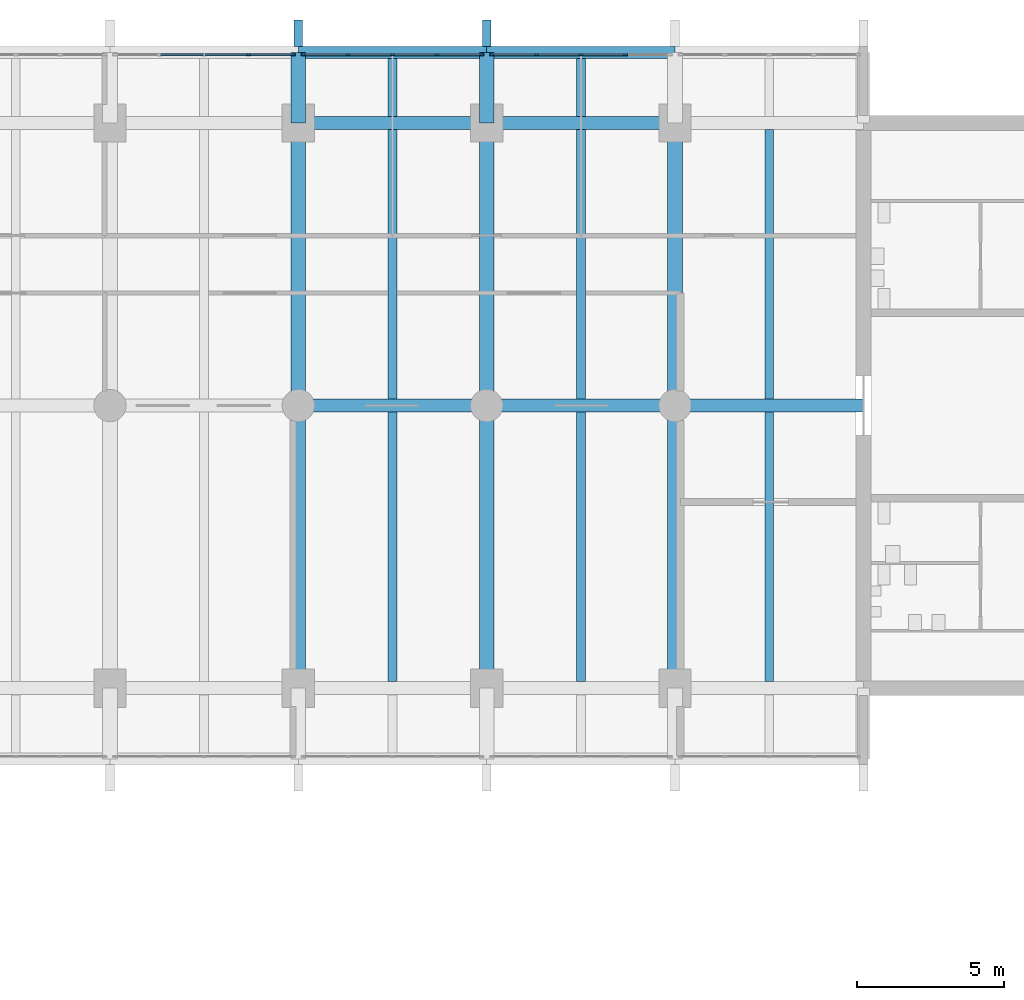
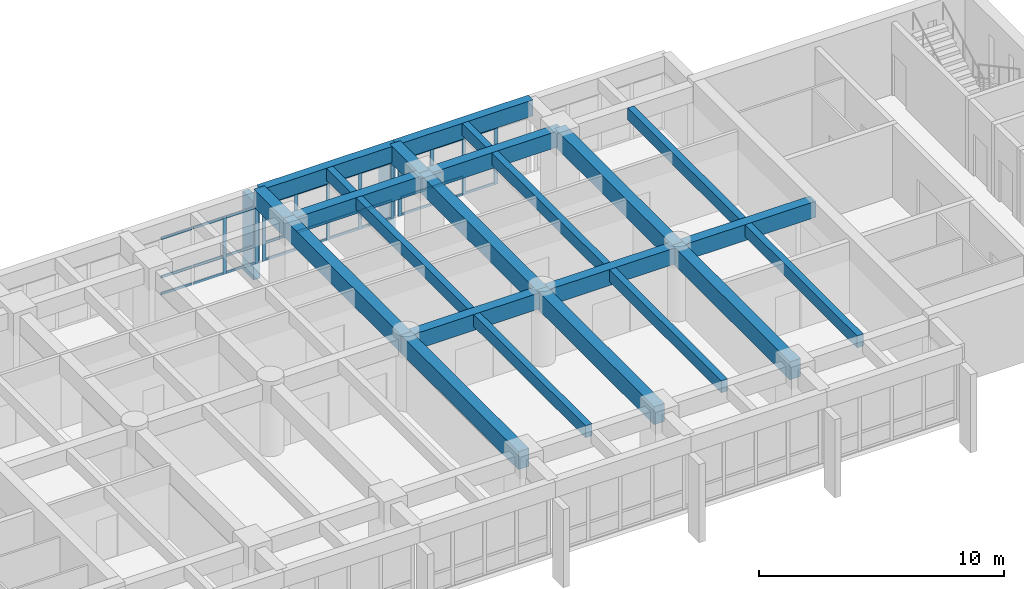
# One storey, part 5 of 19: 43 members, 23 beams, 3 elements without a shape of their own.
"""IFC4 building model written with IfcOpenShell, lengths in metres."""

from ifc_helpers import new_model, si_unit, direction, frame, origin, origin_2d, place, context, subcontext, project, spatial, rectangle, extrude, material, layer, layer_set, material_profile, profile_set, type_object, element, aggregate, save


model = new_model("IFC4")

# Units and contexts
model_context = context("Model", 3, precision=1e-05, world=origin(), true_north=direction((0.0, 1.0)))
body_context = subcontext(model_context, "Body", "Model", "MODEL_VIEW")
ifc_project = project(units=[si_unit("LENGTHUNIT", "METRE"), si_unit("AREAUNIT", "SQUARE_METRE"), si_unit("VOLUMEUNIT", "CUBIC_METRE"), si_unit("PLANEANGLEUNIT", "RADIAN"), si_unit("MASSUNIT", "GRAM", prefix="KILO")], contexts=[model_context])

# Site, building, storey
site_placement = place(None, origin())
site = spatial("IfcSite", under=ifc_project, at=site_placement, CompositionType="ELEMENT")
building_placement = place(site_placement, origin())
building = spatial("IfcBuilding", under=site, at=building_placement, Name="Fogon Plaza Fire Station and Headquarters Tower", CompositionType="ELEMENT")
storey_placement = place(building_placement, frame((0.0, 0.0, 17.10009765625)))
storey = spatial("IfcBuildingStorey", under=building, at=storey_placement, Name="L04", CompositionType="ELEMENT", Elevation=17.10009765625)

# Beams
ifc_material_1 = material(Name="Concrete C40", Category="concrete")
ifc_material_profile_1 = material_profile(ifc_material_1, rectangle(XDim=0.39990234375, YDim=0.800048828125, at=origin_2d()), Name="RC 400x800")
ifc_profile_set_1 = profile_set([ifc_material_profile_1], Name="Concrete C40")
beam_type_1 = type_object("IfcBeamType", Name="BEAM RC 400x800", PredefinedType="BEAM", material=ifc_profile_set_1)
beam_1_placement = place(storey_placement, frame((44.800048828125, 55.199951171875, 3.27978515625), z_axis=(1.0, 0.0, 0.0), x_axis=(0.0, 1.0, 0.0)))
element("IfcBeam", 1, at=beam_1_placement, inside=storey, type_object=beam_type_1, Name="beam-L04-048", PredefinedType="BEAM", context=body_context, shape_type="SweptSolid", body=[
    extrude(rectangle(XDim=0.39990234375, YDim=0.800048828125, at=origin_2d()), origin(), (0.0, 0.0, 1.0), 6.39990234375),
])
beam_2_placement = place(storey_placement, frame((51.199951171875, 55.199951171875, 3.27978515625), z_axis=(1.0, 0.0, 0.0), x_axis=(0.0, 1.0, 0.0)))
element("IfcBeam", 2, at=beam_2_placement, inside=storey, type_object=beam_type_1, Name="beam-L04-049", PredefinedType="BEAM", context=body_context, shape_type="SweptSolid", body=[
    extrude(rectangle(XDim=0.39990234375, YDim=0.800048828125, at=origin_2d()), origin(), (0.0, 0.0, 1.0), 6.400146484375),
])
ifc_material_2 = material(Name="Concrete C40", Category="concrete")
ifc_material_profile_2 = material_profile(ifc_material_2, rectangle(XDim=0.449951171875, YDim=0.800048828125, at=origin_2d()), Name="RC 450x800")
ifc_profile_set_2 = profile_set([ifc_material_profile_2], Name="Concrete C40")
beam_type_2 = type_object("IfcBeamType", Name="BEAM RC 450x800", PredefinedType="BEAM", material=ifc_profile_set_2)
beam_3_placement = place(storey_placement, frame((44.800048828125, 43.199951171875, 3.27978515625), z_axis=(1.0, 0.0, 0.0), x_axis=(0.0, 1.0, 0.0)))
element("IfcBeam", 3, at=beam_3_placement, inside=storey, type_object=beam_type_2, Name="beam-L04-030", PredefinedType="BEAM", context=body_context, shape_type="SweptSolid", body=[
    extrude(rectangle(XDim=0.449951171875, YDim=0.800048828125, at=origin_2d()), origin(), (0.0, 0.0, 1.0), 6.39990234375),
])
beam_4_placement = place(storey_placement, frame((51.199951171875, 43.199951171875, 3.27978515625), z_axis=(1.0, 0.0, 0.0), x_axis=(0.0, 1.0, 0.0)))
element("IfcBeam", 4, at=beam_4_placement, inside=storey, type_object=beam_type_2, Name="beam-L04-031", PredefinedType="BEAM", context=body_context, shape_type="SweptSolid", body=[
    extrude(rectangle(XDim=0.449951171875, YDim=0.800048828125, at=origin_2d()), origin(), (0.0, 0.0, 1.0), 6.400146484375),
])
for number, where, z_axis, x_axis, name in (
    (5, (57.60009765625, 43.199951171875, 3.27978515625), (1.0, 0.0, 0.0), (0.0, 1.0, 0.0), "beam-L04-032"),
    (6, (44.800048828125, 52.800048828125, 3.27978515625), (1.0, 0.0, 0.0), (0.0, 1.0, 0.0), "beam-L04-036"),
):
    element("IfcBeam", number, at=place(storey_placement, frame(where, z_axis=z_axis, x_axis=x_axis)), inside=storey, type_object=beam_type_2, Name=name, PredefinedType="BEAM", context=body_context, shape_type="SweptSolid", body=[
        extrude(rectangle(XDim=0.449951171875, YDim=0.800048828125, at=origin_2d()), origin(), (0.0, 0.0, 1.0), 6.39990234375),
    ])
beam_5_placement = place(storey_placement, frame((51.199951171875, 52.800048828125, 3.27978515625), z_axis=(1.0, 0.0, 0.0), x_axis=(0.0, 1.0, 0.0)))
element("IfcBeam", 7, at=beam_5_placement, inside=storey, type_object=beam_type_2, Name="beam-L04-037", PredefinedType="BEAM", context=body_context, shape_type="SweptSolid", body=[
    extrude(rectangle(XDim=0.449951171875, YDim=0.800048828125, at=origin_2d()), origin(), (0.0, 0.0, 1.0), 6.400146484375),
])
ifc_material_3 = material(Name="Concrete C40", Category="concrete")
ifc_material_profile_3 = material_profile(ifc_material_3, rectangle(XDim=0.5, YDim=0.89990234375, at=origin_2d()), Name="RC 500x900")
ifc_profile_set_3 = profile_set([ifc_material_profile_3], Name="Concrete C40")
beam_type_3 = type_object("IfcBeamType", Name="BEAM RC 500x900 SPAN 0.0 TO 3.0 M", PredefinedType="BEAM", material=ifc_profile_set_3)
for number, where, z_axis, x_axis, name in (
    (8, (44.800048828125, 52.800048828125, 3.22998046875), (0.0, 1.0, 0.0), (-1.0, 0.0, 0.0), "beam-L04-012"),
    (9, (51.199951171875, 52.800048828125, 3.22998046875), (0.0, 1.0, 0.0), (-1.0, 0.0, 0.0), "beam-L04-016"),
):
    element("IfcBeam", number, at=place(storey_placement, frame(where, z_axis=z_axis, x_axis=x_axis)), inside=storey, type_object=beam_type_3, Name=name, PredefinedType="BEAM", context=body_context, shape_type="SweptSolid", body=[
        extrude(rectangle(XDim=0.5, YDim=0.89990234375, at=origin_2d()), origin(), (0.0, 0.0, 1.0), 2.39990234375),
    ])
ifc_material_4 = material(Name="Concrete C40", Category="concrete")
ifc_material_profile_4 = material_profile(ifc_material_4, rectangle(XDim=0.5, YDim=0.89990234375, at=origin_2d()), Name="RC 500x900")
ifc_profile_set_4 = profile_set([ifc_material_profile_4], Name="Concrete C40")
beam_type_4 = type_object("IfcBeamType", Name="BEAM RC 500x900 SPAN 7.7 TO 12.3 M", PredefinedType="BEAM", material=ifc_profile_set_4)
beam_6_placement = place(storey_placement, frame((44.800048828125, 33.60009765625, 3.22998046875), z_axis=(0.0, 1.0, 0.0), x_axis=(-1.0, 0.0, 0.0)))
element("IfcBeam", 10, at=beam_6_placement, inside=storey, type_object=beam_type_4, Name="beam-L04-010", PredefinedType="BEAM", context=body_context, shape_type="SweptSolid", body=[
    extrude(rectangle(XDim=0.5, YDim=0.89990234375, at=origin_2d()), origin(), (0.0, 0.0, 1.0), 9.599853515625),
])
beam_7_placement = place(storey_placement, frame((44.800048828125, 43.199951171875, 3.22998046875), z_axis=(0.0, 1.0, 0.0), x_axis=(-1.0, 0.0, 0.0)))
element("IfcBeam", 11, at=beam_7_placement, inside=storey, type_object=beam_type_4, Name="beam-L04-011", PredefinedType="BEAM", context=body_context, shape_type="SweptSolid", body=[
    extrude(rectangle(XDim=0.5, YDim=0.89990234375, at=origin_2d()), origin(), (0.0, 0.0, 1.0), 9.60009765625),
])
beam_8_placement = place(storey_placement, frame((51.199951171875, 33.60009765625, 3.22998046875), z_axis=(0.0, 1.0, 0.0), x_axis=(-1.0, 0.0, 0.0)))
element("IfcBeam", 12, at=beam_8_placement, inside=storey, type_object=beam_type_4, Name="beam-L04-014", PredefinedType="BEAM", context=body_context, shape_type="SweptSolid", body=[
    extrude(rectangle(XDim=0.5, YDim=0.89990234375, at=origin_2d()), origin(), (0.0, 0.0, 1.0), 9.599853515625),
])
beam_9_placement = place(storey_placement, frame((51.199951171875, 43.199951171875, 3.22998046875), z_axis=(0.0, 1.0, 0.0), x_axis=(-1.0, 0.0, 0.0)))
element("IfcBeam", 13, at=beam_9_placement, inside=storey, type_object=beam_type_4, Name="beam-L04-015", PredefinedType="BEAM", context=body_context, shape_type="SweptSolid", body=[
    extrude(rectangle(XDim=0.5, YDim=0.89990234375, at=origin_2d()), origin(), (0.0, 0.0, 1.0), 9.60009765625),
])
beam_10_placement = place(storey_placement, frame((57.60009765625, 33.60009765625, 3.22998046875), z_axis=(0.0, 1.0, 0.0), x_axis=(-1.0, 0.0, 0.0)))
element("IfcBeam", 14, at=beam_10_placement, inside=storey, type_object=beam_type_4, Name="beam-L04-018", PredefinedType="BEAM", context=body_context, shape_type="SweptSolid", body=[
    extrude(rectangle(XDim=0.5, YDim=0.89990234375, at=origin_2d()), origin(), (0.0, 0.0, 1.0), 9.599853515625),
])
beam_11_placement = place(storey_placement, frame((57.60009765625, 43.199951171875, 3.22998046875), z_axis=(0.0, 1.0, 0.0), x_axis=(-1.0, 0.0, 0.0)))
element("IfcBeam", 15, at=beam_11_placement, inside=storey, type_object=beam_type_4, Name="beam-L04-019", PredefinedType="BEAM", context=body_context, shape_type="SweptSolid", body=[
    extrude(rectangle(XDim=0.5, YDim=0.89990234375, at=origin_2d()), origin(), (0.0, 0.0, 1.0), 9.60009765625),
])

# Curtain wall, members
ifc_material_5 = material(Name="Aluminium and glass", Category="aluminium")
ifc_layer = layer(ifc_material_5, 0.14990234375)
ifc_layer_set = layer_set([ifc_layer], Name="Aluminium and glass")
curtain_wall_type = type_object("IfcCurtainWallType", Name="Unitised Curtain Wall Run 6100x2880", PredefinedType="NOTDEFINED", material=ifc_layer_set)
curtain_wall_1_placement = place(storey_placement, origin())
curtain_wall_1 = element("IfcCurtainWall", 16, at=curtain_wall_1_placement, inside=storey, type_object=curtain_wall_type, Name="CW-6100x2880 N3 L04", PredefinedType="NOTDEFINED")
ifc_material_6 = material(Name="Aluminium", Category="aluminium")
ifc_material_profile_5 = material_profile(ifc_material_6, rectangle(XDim=0.06005859375, YDim=0.159912109375, at=origin_2d()), Name="Curtain Wall Mullion 60x160")
ifc_profile_set_5 = profile_set([ifc_material_profile_5], Name="Aluminium")
member_type_1 = type_object("IfcMemberType", Name="Curtain Wall Mullion 60x160", PredefinedType="MULLION", material=ifc_profile_set_5)
member_1_placement = place(storey_placement, frame((43.110107421875, 55.1201171875, 0.0), z_axis=(0.0, 0.0, 1.0), x_axis=(0.0, 1.0, 0.0)))
member_1 = element("IfcMember", 17, at=member_1_placement, type_object=member_type_1, Name="CW-6100x2880 mullion 4", PredefinedType="MULLION", context=body_context, shape_type="SweptSolid", body=[
    extrude(rectangle(XDim=0.06005859375, YDim=0.159912109375, at=origin_2d()), origin(), (0.0, 0.0, 1.0), 2.8798828125),
])
member_2_placement = place(storey_placement, frame((44.6201171875, 55.1201171875, 0.0), z_axis=(0.0, 0.0, 1.0), x_axis=(0.0, 1.0, 0.0)))
member_2 = element("IfcMember", 18, at=member_2_placement, type_object=member_type_1, Name="CW-6100x2880 mullion 5", PredefinedType="MULLION", context=body_context, shape_type="SweptSolid", body=[
    extrude(rectangle(XDim=0.06005859375, YDim=0.159912109375, at=origin_2d()), origin(), (0.0, 0.0, 1.0), 2.8798828125),
])

curtain_wall_2_placement = place(storey_placement, origin())
curtain_wall_2 = element("IfcCurtainWall", 19, at=curtain_wall_2_placement, inside=storey, type_object=curtain_wall_type, Name="CW-6100x2880 N4 L04", PredefinedType="NOTDEFINED")
member_3_placement = place(storey_placement, frame((44.97998046875, 55.1201171875, 0.0), z_axis=(0.0, 0.0, 1.0), x_axis=(0.0, 1.0, 0.0)))
member_3 = element("IfcMember", 20, at=member_3_placement, type_object=member_type_1, Name="CW-6100x2880 mullion 1", PredefinedType="MULLION", context=body_context, shape_type="SweptSolid", body=[
    extrude(rectangle(XDim=0.06005859375, YDim=0.159912109375, at=origin_2d()), origin(), (0.0, 0.0, 1.0), 2.8798828125),
])
member_4_placement = place(storey_placement, frame((46.489990234375, 55.1201171875, 0.0), z_axis=(0.0, 0.0, 1.0), x_axis=(0.0, 1.0, 0.0)))
member_4 = element("IfcMember", 21, at=member_4_placement, type_object=member_type_1, Name="CW-6100x2880 mullion 2", PredefinedType="MULLION", context=body_context, shape_type="SweptSolid", body=[
    extrude(rectangle(XDim=0.06005859375, YDim=0.159912109375, at=origin_2d()), origin(), (0.0, 0.0, 1.0), 2.8798828125),
])
member_5_placement = place(storey_placement, frame((48.0, 55.1201171875, 0.0), z_axis=(0.0, 0.0, 1.0), x_axis=(0.0, 1.0, 0.0)))
member_5 = element("IfcMember", 22, at=member_5_placement, type_object=member_type_1, Name="CW-6100x2880 mullion 3", PredefinedType="MULLION", context=body_context, shape_type="SweptSolid", body=[
    extrude(rectangle(XDim=0.06005859375, YDim=0.159912109375, at=origin_2d()), origin(), (0.0, 0.0, 1.0), 2.8798828125),
])
member_6_placement = place(storey_placement, frame((49.510009765625, 55.1201171875, 0.0), z_axis=(0.0, 0.0, 1.0), x_axis=(0.0, 1.0, 0.0)))
member_6 = element("IfcMember", 23, at=member_6_placement, type_object=member_type_1, Name="CW-6100x2880 mullion 4", PredefinedType="MULLION", context=body_context, shape_type="SweptSolid", body=[
    extrude(rectangle(XDim=0.06005859375, YDim=0.159912109375, at=origin_2d()), origin(), (0.0, 0.0, 1.0), 2.8798828125),
])
member_7_placement = place(storey_placement, frame((51.02001953125, 55.1201171875, 0.0), z_axis=(0.0, 0.0, 1.0), x_axis=(0.0, 1.0, 0.0)))
member_7 = element("IfcMember", 24, at=member_7_placement, type_object=member_type_1, Name="CW-6100x2880 mullion 5", PredefinedType="MULLION", context=body_context, shape_type="SweptSolid", body=[
    extrude(rectangle(XDim=0.06005859375, YDim=0.159912109375, at=origin_2d()), origin(), (0.0, 0.0, 1.0), 2.8798828125),
])

curtain_wall_3_placement = place(storey_placement, origin())
curtain_wall_3 = element("IfcCurtainWall", 25, at=curtain_wall_3_placement, inside=storey, type_object=curtain_wall_type, Name="CW-6100x2880 N5 L04", PredefinedType="NOTDEFINED")
member_8_placement = place(storey_placement, frame((51.3798828125, 55.1201171875, 0.0), z_axis=(0.0, 0.0, 1.0), x_axis=(0.0, 1.0, 0.0)))
member_8 = element("IfcMember", 26, at=member_8_placement, type_object=member_type_1, Name="CW-6100x2880 mullion 1", PredefinedType="MULLION", context=body_context, shape_type="SweptSolid", body=[
    extrude(rectangle(XDim=0.06005859375, YDim=0.159912109375, at=origin_2d()), origin(), (0.0, 0.0, 1.0), 2.8798828125),
])
member_9_placement = place(storey_placement, frame((52.889892578125, 55.1201171875, 0.0), z_axis=(0.0, 0.0, 1.0), x_axis=(0.0, 1.0, 0.0)))
member_9 = element("IfcMember", 27, at=member_9_placement, type_object=member_type_1, Name="CW-6100x2880 mullion 2", PredefinedType="MULLION", context=body_context, shape_type="SweptSolid", body=[
    extrude(rectangle(XDim=0.06005859375, YDim=0.159912109375, at=origin_2d()), origin(), (0.0, 0.0, 1.0), 2.8798828125),
])
member_10_placement = place(storey_placement, frame((54.39990234375, 55.1201171875, 0.0), z_axis=(0.0, 0.0, 1.0), x_axis=(0.0, 1.0, 0.0)))
member_10 = element("IfcMember", 28, at=member_10_placement, type_object=member_type_1, Name="CW-6100x2880 mullion 3", PredefinedType="MULLION", context=body_context, shape_type="SweptSolid", body=[
    extrude(rectangle(XDim=0.06005859375, YDim=0.159912109375, at=origin_2d()), origin(), (0.0, 0.0, 1.0), 2.8798828125),
])
member_11_placement = place(storey_placement, frame((55.909912109375, 55.1201171875, 0.0), z_axis=(0.0, 0.0, 1.0), x_axis=(0.0, 1.0, 0.0)))
member_11 = element("IfcMember", 29, at=member_11_placement, type_object=member_type_1, Name="CW-6100x2880 mullion 4", PredefinedType="MULLION", context=body_context, shape_type="SweptSolid", body=[
    extrude(rectangle(XDim=0.06005859375, YDim=0.159912109375, at=origin_2d()), origin(), (0.0, 0.0, 1.0), 2.8798828125),
])

# Member
ifc_material_7 = material(Name="Aluminium", Category="aluminium")
ifc_material_profile_6 = material_profile(ifc_material_7, rectangle(XDim=0.06005859375, YDim=0.1201171875, at=origin_2d()), Name="Curtain Wall Transom 60x120")
ifc_profile_set_6 = profile_set([ifc_material_profile_6], Name="Aluminium")
member_type_2 = type_object("IfcMemberType", Name="Curtain Wall Transom 60x120", PredefinedType="USERDEFINED", material=ifc_profile_set_6)
member_12_placement = place(storey_placement, frame((40.1201171875, 55.1201171875, 0.059814453125), z_axis=(1.0, 0.0, 0.0), x_axis=(0.0, 1.0, 0.0)))
member_12 = element("IfcMember", 30, at=member_12_placement, type_object=member_type_2, Name="CW-6100x2880 transom 2.1", ObjectType="TRANSOM", PredefinedType="USERDEFINED", context=body_context, shape_type="SweptSolid", body=[
    extrude(rectangle(XDim=0.06005859375, YDim=0.1201171875, at=origin_2d()), origin(), (0.0, 0.0, 1.0), 1.449951171875),
])

member_13_placement = place(storey_placement, frame((40.1201171875, 55.1201171875, 0.89990234375), z_axis=(1.0, 0.0, 0.0), x_axis=(0.0, 1.0, 0.0)))
member_13 = element("IfcMember", 31, at=member_13_placement, type_object=member_type_2, Name="CW-6100x2880 transom 2.2", ObjectType="TRANSOM", PredefinedType="USERDEFINED", context=body_context, shape_type="SweptSolid", body=[
    extrude(rectangle(XDim=0.06005859375, YDim=0.1201171875, at=origin_2d()), origin(), (0.0, 0.0, 1.0), 1.449951171875),
])

member_14_placement = place(storey_placement, frame((40.1201171875, 55.1201171875, 2.81982421875), z_axis=(1.0, 0.0, 0.0), x_axis=(0.0, 1.0, 0.0)))
member_14 = element("IfcMember", 32, at=member_14_placement, type_object=member_type_2, Name="CW-6100x2880 transom 2.3", ObjectType="TRANSOM", PredefinedType="USERDEFINED", context=body_context, shape_type="SweptSolid", body=[
    extrude(rectangle(XDim=0.06005859375, YDim=0.1201171875, at=origin_2d()), origin(), (0.0, 0.0, 1.0), 1.449951171875),
])

member_15_placement = place(storey_placement, frame((41.6298828125, 55.1201171875, 0.059814453125), z_axis=(1.0, 0.0, 0.0), x_axis=(0.0, 1.0, 0.0)))
member_15 = element("IfcMember", 33, at=member_15_placement, type_object=member_type_2, Name="CW-6100x2880 transom 3.1", ObjectType="TRANSOM", PredefinedType="USERDEFINED", context=body_context, shape_type="SweptSolid", body=[
    extrude(rectangle(XDim=0.06005859375, YDim=0.1201171875, at=origin_2d()), origin(), (0.0, 0.0, 1.0), 1.4501953125),
])

member_16_placement = place(storey_placement, frame((41.6298828125, 55.1201171875, 0.89990234375), z_axis=(1.0, 0.0, 0.0), x_axis=(0.0, 1.0, 0.0)))
member_16 = element("IfcMember", 34, at=member_16_placement, type_object=member_type_2, Name="CW-6100x2880 transom 3.2", ObjectType="TRANSOM", PredefinedType="USERDEFINED", context=body_context, shape_type="SweptSolid", body=[
    extrude(rectangle(XDim=0.06005859375, YDim=0.1201171875, at=origin_2d()), origin(), (0.0, 0.0, 1.0), 1.4501953125),
])

member_17_placement = place(storey_placement, frame((41.6298828125, 55.1201171875, 2.81982421875), z_axis=(1.0, 0.0, 0.0), x_axis=(0.0, 1.0, 0.0)))
member_17 = element("IfcMember", 35, at=member_17_placement, type_object=member_type_2, Name="CW-6100x2880 transom 3.3", ObjectType="TRANSOM", PredefinedType="USERDEFINED", context=body_context, shape_type="SweptSolid", body=[
    extrude(rectangle(XDim=0.06005859375, YDim=0.1201171875, at=origin_2d()), origin(), (0.0, 0.0, 1.0), 1.4501953125),
])

member_18_placement = place(storey_placement, frame((43.139892578125, 55.1201171875, 0.059814453125), z_axis=(1.0, 0.0, 0.0), x_axis=(0.0, 1.0, 0.0)))
member_18 = element("IfcMember", 36, at=member_18_placement, type_object=member_type_2, Name="CW-6100x2880 transom 4.1", ObjectType="TRANSOM", PredefinedType="USERDEFINED", context=body_context, shape_type="SweptSolid", body=[
    extrude(rectangle(XDim=0.06005859375, YDim=0.1201171875, at=origin_2d()), origin(), (0.0, 0.0, 1.0), 1.4501953125),
])

member_19_placement = place(storey_placement, frame((43.139892578125, 55.1201171875, 0.89990234375), z_axis=(1.0, 0.0, 0.0), x_axis=(0.0, 1.0, 0.0)))
member_19 = element("IfcMember", 37, at=member_19_placement, type_object=member_type_2, Name="CW-6100x2880 transom 4.2", ObjectType="TRANSOM", PredefinedType="USERDEFINED", context=body_context, shape_type="SweptSolid", body=[
    extrude(rectangle(XDim=0.06005859375, YDim=0.1201171875, at=origin_2d()), origin(), (0.0, 0.0, 1.0), 1.4501953125),
])

member_20_placement = place(storey_placement, frame((43.139892578125, 55.1201171875, 2.81982421875), z_axis=(1.0, 0.0, 0.0), x_axis=(0.0, 1.0, 0.0)))
member_20 = element("IfcMember", 38, at=member_20_placement, type_object=member_type_2, Name="CW-6100x2880 transom 4.3", ObjectType="TRANSOM", PredefinedType="USERDEFINED", context=body_context, shape_type="SweptSolid", body=[
    extrude(rectangle(XDim=0.06005859375, YDim=0.1201171875, at=origin_2d()), origin(), (0.0, 0.0, 1.0), 1.4501953125),
])

aggregate(curtain_wall_1, [member_1, member_2, member_12, member_13, member_14, member_15, member_16, member_17, member_18, member_19, member_20])

member_21_placement = place(storey_placement, frame((45.010009765625, 55.1201171875, 0.059814453125), z_axis=(1.0, 0.0, 0.0), x_axis=(0.0, 1.0, 0.0)))
member_21 = element("IfcMember", 39, at=member_21_placement, type_object=member_type_2, Name="CW-6100x2880 transom 1.1", ObjectType="TRANSOM", PredefinedType="USERDEFINED", context=body_context, shape_type="SweptSolid", body=[
    extrude(rectangle(XDim=0.06005859375, YDim=0.1201171875, at=origin_2d()), origin(), (0.0, 0.0, 1.0), 1.449951171875),
])

member_22_placement = place(storey_placement, frame((45.010009765625, 55.1201171875, 0.89990234375), z_axis=(1.0, 0.0, 0.0), x_axis=(0.0, 1.0, 0.0)))
member_22 = element("IfcMember", 40, at=member_22_placement, type_object=member_type_2, Name="CW-6100x2880 transom 1.2", ObjectType="TRANSOM", PredefinedType="USERDEFINED", context=body_context, shape_type="SweptSolid", body=[
    extrude(rectangle(XDim=0.06005859375, YDim=0.1201171875, at=origin_2d()), origin(), (0.0, 0.0, 1.0), 1.449951171875),
])

member_23_placement = place(storey_placement, frame((45.010009765625, 55.1201171875, 2.81982421875), z_axis=(1.0, 0.0, 0.0), x_axis=(0.0, 1.0, 0.0)))
member_23 = element("IfcMember", 41, at=member_23_placement, type_object=member_type_2, Name="CW-6100x2880 transom 1.3", ObjectType="TRANSOM", PredefinedType="USERDEFINED", context=body_context, shape_type="SweptSolid", body=[
    extrude(rectangle(XDim=0.06005859375, YDim=0.1201171875, at=origin_2d()), origin(), (0.0, 0.0, 1.0), 1.449951171875),
])

member_24_placement = place(storey_placement, frame((46.52001953125, 55.1201171875, 0.059814453125), z_axis=(1.0, 0.0, 0.0), x_axis=(0.0, 1.0, 0.0)))
member_24 = element("IfcMember", 42, at=member_24_placement, type_object=member_type_2, Name="CW-6100x2880 transom 2.1", ObjectType="TRANSOM", PredefinedType="USERDEFINED", context=body_context, shape_type="SweptSolid", body=[
    extrude(rectangle(XDim=0.06005859375, YDim=0.1201171875, at=origin_2d()), origin(), (0.0, 0.0, 1.0), 1.449951171875),
])

member_25_placement = place(storey_placement, frame((46.52001953125, 55.1201171875, 0.89990234375), z_axis=(1.0, 0.0, 0.0), x_axis=(0.0, 1.0, 0.0)))
member_25 = element("IfcMember", 43, at=member_25_placement, type_object=member_type_2, Name="CW-6100x2880 transom 2.2", ObjectType="TRANSOM", PredefinedType="USERDEFINED", context=body_context, shape_type="SweptSolid", body=[
    extrude(rectangle(XDim=0.06005859375, YDim=0.1201171875, at=origin_2d()), origin(), (0.0, 0.0, 1.0), 1.449951171875),
])

member_26_placement = place(storey_placement, frame((46.52001953125, 55.1201171875, 2.81982421875), z_axis=(1.0, 0.0, 0.0), x_axis=(0.0, 1.0, 0.0)))
member_26 = element("IfcMember", 44, at=member_26_placement, type_object=member_type_2, Name="CW-6100x2880 transom 2.3", ObjectType="TRANSOM", PredefinedType="USERDEFINED", context=body_context, shape_type="SweptSolid", body=[
    extrude(rectangle(XDim=0.06005859375, YDim=0.1201171875, at=origin_2d()), origin(), (0.0, 0.0, 1.0), 1.449951171875),
])

member_27_placement = place(storey_placement, frame((48.030029296875, 55.1201171875, 0.059814453125), z_axis=(1.0, 0.0, 0.0), x_axis=(0.0, 1.0, 0.0)))
member_27 = element("IfcMember", 45, at=member_27_placement, type_object=member_type_2, Name="CW-6100x2880 transom 3.1", ObjectType="TRANSOM", PredefinedType="USERDEFINED", context=body_context, shape_type="SweptSolid", body=[
    extrude(rectangle(XDim=0.06005859375, YDim=0.1201171875, at=origin_2d()), origin(), (0.0, 0.0, 1.0), 1.449951171875),
])

member_28_placement = place(storey_placement, frame((48.030029296875, 55.1201171875, 0.89990234375), z_axis=(1.0, 0.0, 0.0), x_axis=(0.0, 1.0, 0.0)))
member_28 = element("IfcMember", 46, at=member_28_placement, type_object=member_type_2, Name="CW-6100x2880 transom 3.2", ObjectType="TRANSOM", PredefinedType="USERDEFINED", context=body_context, shape_type="SweptSolid", body=[
    extrude(rectangle(XDim=0.06005859375, YDim=0.1201171875, at=origin_2d()), origin(), (0.0, 0.0, 1.0), 1.449951171875),
])

member_29_placement = place(storey_placement, frame((48.030029296875, 55.1201171875, 2.81982421875), z_axis=(1.0, 0.0, 0.0), x_axis=(0.0, 1.0, 0.0)))
member_29 = element("IfcMember", 47, at=member_29_placement, type_object=member_type_2, Name="CW-6100x2880 transom 3.3", ObjectType="TRANSOM", PredefinedType="USERDEFINED", context=body_context, shape_type="SweptSolid", body=[
    extrude(rectangle(XDim=0.06005859375, YDim=0.1201171875, at=origin_2d()), origin(), (0.0, 0.0, 1.0), 1.449951171875),
])

member_30_placement = place(storey_placement, frame((49.5400390625, 55.1201171875, 0.059814453125), z_axis=(1.0, 0.0, 0.0), x_axis=(0.0, 1.0, 0.0)))
member_30 = element("IfcMember", 48, at=member_30_placement, type_object=member_type_2, Name="CW-6100x2880 transom 4.1", ObjectType="TRANSOM", PredefinedType="USERDEFINED", context=body_context, shape_type="SweptSolid", body=[
    extrude(rectangle(XDim=0.06005859375, YDim=0.1201171875, at=origin_2d()), origin(), (0.0, 0.0, 1.0), 1.449951171875),
])

member_31_placement = place(storey_placement, frame((49.5400390625, 55.1201171875, 0.89990234375), z_axis=(1.0, 0.0, 0.0), x_axis=(0.0, 1.0, 0.0)))
member_31 = element("IfcMember", 49, at=member_31_placement, type_object=member_type_2, Name="CW-6100x2880 transom 4.2", ObjectType="TRANSOM", PredefinedType="USERDEFINED", context=body_context, shape_type="SweptSolid", body=[
    extrude(rectangle(XDim=0.06005859375, YDim=0.1201171875, at=origin_2d()), origin(), (0.0, 0.0, 1.0), 1.449951171875),
])

member_32_placement = place(storey_placement, frame((49.5400390625, 55.1201171875, 2.81982421875), z_axis=(1.0, 0.0, 0.0), x_axis=(0.0, 1.0, 0.0)))
member_32 = element("IfcMember", 50, at=member_32_placement, type_object=member_type_2, Name="CW-6100x2880 transom 4.3", ObjectType="TRANSOM", PredefinedType="USERDEFINED", context=body_context, shape_type="SweptSolid", body=[
    extrude(rectangle(XDim=0.06005859375, YDim=0.1201171875, at=origin_2d()), origin(), (0.0, 0.0, 1.0), 1.449951171875),
])

aggregate(curtain_wall_2, [member_3, member_4, member_5, member_6, member_7, member_21, member_22, member_23, member_24, member_25, member_26, member_27, member_28, member_29, member_30, member_31, member_32])

member_33_placement = place(storey_placement, frame((51.409912109375, 55.1201171875, 0.059814453125), z_axis=(1.0, 0.0, 0.0), x_axis=(0.0, 1.0, 0.0)))
member_33 = element("IfcMember", 51, at=member_33_placement, type_object=member_type_2, Name="CW-6100x2880 transom 1.1", ObjectType="TRANSOM", PredefinedType="USERDEFINED", context=body_context, shape_type="SweptSolid", body=[
    extrude(rectangle(XDim=0.06005859375, YDim=0.1201171875, at=origin_2d()), origin(), (0.0, 0.0, 1.0), 1.4501953125),
])

member_34_placement = place(storey_placement, frame((51.409912109375, 55.1201171875, 0.89990234375), z_axis=(1.0, 0.0, 0.0), x_axis=(0.0, 1.0, 0.0)))
member_34 = element("IfcMember", 52, at=member_34_placement, type_object=member_type_2, Name="CW-6100x2880 transom 1.2", ObjectType="TRANSOM", PredefinedType="USERDEFINED", context=body_context, shape_type="SweptSolid", body=[
    extrude(rectangle(XDim=0.06005859375, YDim=0.1201171875, at=origin_2d()), origin(), (0.0, 0.0, 1.0), 1.4501953125),
])

member_35_placement = place(storey_placement, frame((51.409912109375, 55.1201171875, 2.81982421875), z_axis=(1.0, 0.0, 0.0), x_axis=(0.0, 1.0, 0.0)))
member_35 = element("IfcMember", 53, at=member_35_placement, type_object=member_type_2, Name="CW-6100x2880 transom 1.3", ObjectType="TRANSOM", PredefinedType="USERDEFINED", context=body_context, shape_type="SweptSolid", body=[
    extrude(rectangle(XDim=0.06005859375, YDim=0.1201171875, at=origin_2d()), origin(), (0.0, 0.0, 1.0), 1.4501953125),
])

member_36_placement = place(storey_placement, frame((52.919921875, 55.1201171875, 0.059814453125), z_axis=(1.0, 0.0, 0.0), x_axis=(0.0, 1.0, 0.0)))
member_36 = element("IfcMember", 54, at=member_36_placement, type_object=member_type_2, Name="CW-6100x2880 transom 2.1", ObjectType="TRANSOM", PredefinedType="USERDEFINED", context=body_context, shape_type="SweptSolid", body=[
    extrude(rectangle(XDim=0.06005859375, YDim=0.1201171875, at=origin_2d()), origin(), (0.0, 0.0, 1.0), 1.4501953125),
])

member_37_placement = place(storey_placement, frame((52.919921875, 55.1201171875, 0.89990234375), z_axis=(1.0, 0.0, 0.0), x_axis=(0.0, 1.0, 0.0)))
member_37 = element("IfcMember", 55, at=member_37_placement, type_object=member_type_2, Name="CW-6100x2880 transom 2.2", ObjectType="TRANSOM", PredefinedType="USERDEFINED", context=body_context, shape_type="SweptSolid", body=[
    extrude(rectangle(XDim=0.06005859375, YDim=0.1201171875, at=origin_2d()), origin(), (0.0, 0.0, 1.0), 1.4501953125),
])

member_38_placement = place(storey_placement, frame((52.919921875, 55.1201171875, 2.81982421875), z_axis=(1.0, 0.0, 0.0), x_axis=(0.0, 1.0, 0.0)))
member_38 = element("IfcMember", 56, at=member_38_placement, type_object=member_type_2, Name="CW-6100x2880 transom 2.3", ObjectType="TRANSOM", PredefinedType="USERDEFINED", context=body_context, shape_type="SweptSolid", body=[
    extrude(rectangle(XDim=0.06005859375, YDim=0.1201171875, at=origin_2d()), origin(), (0.0, 0.0, 1.0), 1.4501953125),
])

member_39_placement = place(storey_placement, frame((54.429931640625, 55.1201171875, 0.059814453125), z_axis=(1.0, 0.0, 0.0), x_axis=(0.0, 1.0, 0.0)))
member_39 = element("IfcMember", 57, at=member_39_placement, type_object=member_type_2, Name="CW-6100x2880 transom 3.1", ObjectType="TRANSOM", PredefinedType="USERDEFINED", context=body_context, shape_type="SweptSolid", body=[
    extrude(rectangle(XDim=0.06005859375, YDim=0.1201171875, at=origin_2d()), origin(), (0.0, 0.0, 1.0), 1.449951171875),
])

member_40_placement = place(storey_placement, frame((54.429931640625, 55.1201171875, 0.89990234375), z_axis=(1.0, 0.0, 0.0), x_axis=(0.0, 1.0, 0.0)))
member_40 = element("IfcMember", 58, at=member_40_placement, type_object=member_type_2, Name="CW-6100x2880 transom 3.2", ObjectType="TRANSOM", PredefinedType="USERDEFINED", context=body_context, shape_type="SweptSolid", body=[
    extrude(rectangle(XDim=0.06005859375, YDim=0.1201171875, at=origin_2d()), origin(), (0.0, 0.0, 1.0), 1.449951171875),
])

member_41_placement = place(storey_placement, frame((54.429931640625, 55.1201171875, 2.81982421875), z_axis=(1.0, 0.0, 0.0), x_axis=(0.0, 1.0, 0.0)))
member_41 = element("IfcMember", 59, at=member_41_placement, type_object=member_type_2, Name="CW-6100x2880 transom 3.3", ObjectType="TRANSOM", PredefinedType="USERDEFINED", context=body_context, shape_type="SweptSolid", body=[
    extrude(rectangle(XDim=0.06005859375, YDim=0.1201171875, at=origin_2d()), origin(), (0.0, 0.0, 1.0), 1.449951171875),
])

aggregate(curtain_wall_3, [member_8, member_9, member_10, member_11, member_33, member_34, member_35, member_36, member_37, member_38, member_39, member_40, member_41])

# Beams
ifc_material_8 = material(Name="Concrete C40", Category="concrete")
ifc_material_profile_7 = material_profile(ifc_material_8, rectangle(XDim=0.300048828125, YDim=0.60009765625, at=origin_2d()), Name="RC 300x600")
ifc_profile_set_7 = profile_set([ifc_material_profile_7], Name="Concrete C40")
beam_type_5 = type_object("IfcBeamType", Name="JOIST RC 300x600", PredefinedType="JOIST", material=ifc_profile_set_7)
beam_12_placement = place(storey_placement, frame((48.0, 33.824951171875, 3.3798828125), z_axis=(0.0, 1.0, 0.0), x_axis=(-1.0, 0.0, 0.0)))
element("IfcBeam", 60, at=beam_12_placement, inside=storey, type_object=beam_type_5, Name="beam-L04-068", PredefinedType="JOIST", context=body_context, shape_type="SweptSolid", body=[
    extrude(rectangle(XDim=0.300048828125, YDim=0.60009765625, at=origin_2d()), origin(), (0.0, 0.0, 1.0), 9.150146484375),
])
beam_13_placement = place(storey_placement, frame((48.0, 43.425048828125, 3.3798828125), z_axis=(0.0, 1.0, 0.0), x_axis=(-1.0, 0.0, 0.0)))
element("IfcBeam", 61, at=beam_13_placement, inside=storey, type_object=beam_type_5, Name="beam-L04-069", PredefinedType="JOIST", context=body_context, shape_type="SweptSolid", body=[
    extrude(rectangle(XDim=0.300048828125, YDim=0.60009765625, at=origin_2d()), origin(), (0.0, 0.0, 1.0), 9.14990234375),
])
beam_14_placement = place(storey_placement, frame((54.39990234375, 33.824951171875, 3.3798828125), z_axis=(0.0, 1.0, 0.0), x_axis=(-1.0, 0.0, 0.0)))
element("IfcBeam", 62, at=beam_14_placement, inside=storey, type_object=beam_type_5, Name="beam-L04-072", PredefinedType="JOIST", context=body_context, shape_type="SweptSolid", body=[
    extrude(rectangle(XDim=0.300048828125, YDim=0.60009765625, at=origin_2d()), origin(), (0.0, 0.0, 1.0), 9.150146484375),
])
beam_15_placement = place(storey_placement, frame((54.39990234375, 43.425048828125, 3.3798828125), z_axis=(0.0, 1.0, 0.0), x_axis=(-1.0, 0.0, 0.0)))
element("IfcBeam", 63, at=beam_15_placement, inside=storey, type_object=beam_type_5, Name="beam-L04-073", PredefinedType="JOIST", context=body_context, shape_type="SweptSolid", body=[
    extrude(rectangle(XDim=0.300048828125, YDim=0.60009765625, at=origin_2d()), origin(), (0.0, 0.0, 1.0), 9.14990234375),
])
beam_16_placement = place(storey_placement, frame((60.800048828125, 33.824951171875, 3.3798828125), z_axis=(0.0, 1.0, 0.0), x_axis=(-1.0, 0.0, 0.0)))
element("IfcBeam", 64, at=beam_16_placement, inside=storey, type_object=beam_type_5, Name="beam-L04-076", PredefinedType="JOIST", context=body_context, shape_type="SweptSolid", body=[
    extrude(rectangle(XDim=0.300048828125, YDim=0.60009765625, at=origin_2d()), origin(), (0.0, 0.0, 1.0), 9.150146484375),
])
beam_17_placement = place(storey_placement, frame((60.800048828125, 43.425048828125, 3.3798828125), z_axis=(0.0, 1.0, 0.0), x_axis=(-1.0, 0.0, 0.0)))
element("IfcBeam", 65, at=beam_17_placement, inside=storey, type_object=beam_type_5, Name="beam-L04-077", PredefinedType="JOIST", context=body_context, shape_type="SweptSolid", body=[
    extrude(rectangle(XDim=0.300048828125, YDim=0.60009765625, at=origin_2d()), origin(), (0.0, 0.0, 1.0), 9.14990234375),
])
ifc_material_9 = material(Name="Concrete C40", Category="concrete")
ifc_material_profile_8 = material_profile(ifc_material_9, rectangle(XDim=0.300048828125, YDim=0.60009765625, at=origin_2d()), Name="RC 300x600")
ifc_profile_set_8 = profile_set([ifc_material_profile_8], Name="Concrete C40")
beam_type_6 = type_object("IfcBeamType", Name="JOIST RC 300x600 SPAN 0.0 TO 3.0 M", PredefinedType="JOIST", material=ifc_profile_set_8)
for number, where, z_axis, x_axis, name in (
    (66, (48.0, 53.02490234375, 3.3798828125), (0.0, 1.0, 0.0), (-1.0, 0.0, 0.0), "beam-L04-070"),
    (67, (54.39990234375, 53.02490234375, 3.3798828125), (0.0, 1.0, 0.0), (-1.0, 0.0, 0.0), "beam-L04-074"),
):
    element("IfcBeam", number, at=place(storey_placement, frame(where, z_axis=z_axis, x_axis=x_axis)), inside=storey, type_object=beam_type_6, Name=name, PredefinedType="JOIST", context=body_context, shape_type="SweptSolid", body=[
        extrude(rectangle(XDim=0.300048828125, YDim=0.60009765625, at=origin_2d()), origin(), (0.0, 0.0, 1.0), 1.97509765625),
    ])

# Members
ifc_material_10 = material(Name="Concrete C40 precast", Category="concrete")
ifc_material_profile_9 = material_profile(ifc_material_10, rectangle(XDim=0.300048828125, YDim=0.89990234375, at=origin_2d()), Name="Precast Concrete Post 300x900")
ifc_profile_set_9 = profile_set([ifc_material_profile_9], Name="Concrete C40 precast")
member_type_3 = type_object("IfcMemberType", Name="Precast Concrete Post 300x900", PredefinedType="POST", material=ifc_profile_set_9)
for number, where, z_axis, x_axis, name in (
    (68, (44.800048828125, 55.85009765625, -1.02001953125), (0.0, 0.0, 1.0), (1.0, 0.0, 0.0), "Precast Post N L04"),
    (69, (51.199951171875, 55.85009765625, -1.02001953125), (0.0, 0.0, 1.0), (1.0, 0.0, 0.0), "Precast Post N L04"),
):
    element("IfcMember", number, at=place(storey_placement, frame(where, z_axis=z_axis, x_axis=x_axis)), inside=storey, type_object=member_type_3, Name=name, PredefinedType="POST", context=body_context, shape_type="SweptSolid", body=[
        extrude(rectangle(XDim=0.300048828125, YDim=0.89990234375, at=origin_2d()), origin(), (0.0, 0.0, 1.0), 3.89990234375),
    ])

save(model, "model.ifc")
